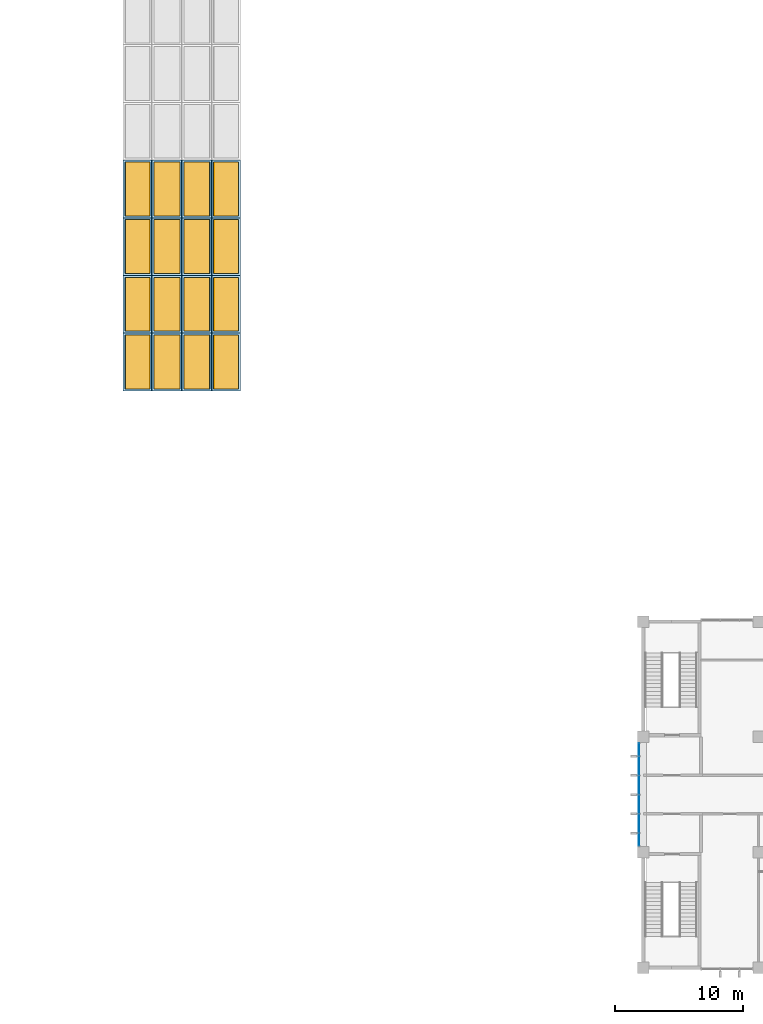
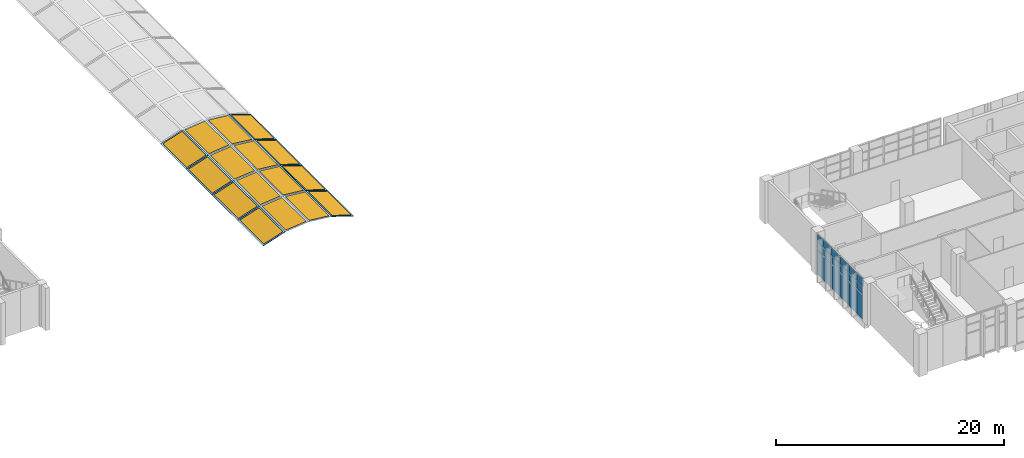
# One storey, part 19 of 45: 18 plates, 16 slabs, 16 windows, 16 openings, 1 element without a shape of its own.
"""IFC4 building model written with IfcOpenShell, lengths in metres."""

import ifcopenshell
import ifcopenshell.guid

model = None  # the IFC model being written
_history = None  # IfcOwnerHistory: only IFC2X3 demands one
_inside = {}  # id of a spatial element -> (the spatial element, [elements in it])
_under = {}  # id of a project, library or spatial element -> (it, [spatial elements below it])
_declared = {}  # id of a project -> (the project, [libraries it declares])
_typed = {}  # id of a type object -> (the type object, [elements of that type])
_made_of = {}  # id of a material, layer set ... -> (it, [elements and type objects made of it])


def new_model(schema):
    """Start an empty IFC model of exactly this schema.

    Asked for "IFC4X3", IfcOpenShell would pick the latest addendum, in which some entities
    have other attributes; the version numbers below select the first issue.
    IFC2X3 requires an IfcOwnerHistory on every rooted entity: one is made here for all.
    """
    global model, _history
    if schema == "IFC4X3":
        model = ifcopenshell.file(schema_version=(4, 3, 0, 0))
    else:
        model = ifcopenshell.file(schema=schema)
    _inside.clear()
    _under.clear()
    _declared.clear()
    _typed.clear()
    _made_of.clear()
    _history = None
    if model.schema == "IFC2X3":
        org = make("IfcOrganization", Name="unknown")
        user = make(
            "IfcPersonAndOrganization",
            ThePerson=make("IfcPerson", FamilyName="unknown"),
            TheOrganization=org,
        )
        app = make(
            "IfcApplication",
            ApplicationDeveloper=org,
            Version="unknown",
            ApplicationFullName="unknown",
            ApplicationIdentifier="unknown",
        )
        _history = make(
            "IfcOwnerHistory",
            OwningUser=user,
            OwningApplication=app,
            ChangeAction="ADDED",
            CreationDate=0,
        )
    return model


def make(cls, **values):
    """One entity of the class cls with the attributes given. An attribute that is None is left unset."""
    return model.create_entity(
        cls, **{name: value for name, value in values.items() if value is not None}
    )


def rooted(cls, **values):
    """An entity with a GlobalId (a new one), such as an element, a storey or a relation."""
    return make(cls, GlobalId=ifcopenshell.guid.new(), OwnerHistory=_history, **values)


def si_unit(unit_type, name, prefix=None):
    """IfcSIUnit, for example si_unit("LENGTHUNIT", "METRE", prefix="MILLI")."""
    return make("IfcSIUnit", UnitType=unit_type, Prefix=prefix, Name=name)


def assignment(units):
    """IfcUnitAssignment: the units of a project."""
    return None if units is None else make("IfcUnitAssignment", Units=units)


def point(xyz):
    """IfcCartesianPoint."""
    return None if xyz is None else make("IfcCartesianPoint", Coordinates=xyz)


def direction(xyz):
    """IfcDirection."""
    return None if xyz is None else make("IfcDirection", DirectionRatios=xyz)


def frame(location, z_axis=None, x_axis=None):
    """IfcAxis2Placement3D, a coordinate frame: its origin and axes. An axis left out is left unset."""
    return make(
        "IfcAxis2Placement3D",
        Location=point(location),
        Axis=direction(z_axis),
        RefDirection=direction(x_axis),
    )


def frame_2d(location, x_axis=None):
    """IfcAxis2Placement2D, a coordinate frame in the plane: its origin and x axis."""
    return make(
        "IfcAxis2Placement2D", Location=point(location), RefDirection=direction(x_axis)
    )


def origin():
    """The frame at (0, 0, 0) with its axes left unset."""
    return frame((0.0, 0.0, 0.0))


def origin_2d():
    """The frame at (0, 0) in the plane with its x axis left unset."""
    return frame_2d((0.0, 0.0))


def place(relative_to, where):
    """IfcLocalPlacement: puts the frame where relative to a parent placement (None: the world)."""
    return make(
        "IfcLocalPlacement", PlacementRelTo=relative_to, RelativePlacement=where
    )


def context(
    kind, dimensions, precision=None, world=None, true_north=None, identifier=None
):
    """IfcGeometricRepresentationContext, for example the 3D "Model" context."""
    return make(
        "IfcGeometricRepresentationContext",
        ContextIdentifier=identifier,
        ContextType=kind,
        CoordinateSpaceDimension=dimensions,
        Precision=precision,
        WorldCoordinateSystem=world,
        TrueNorth=true_north,
    )


def subcontext(parent, identifier, kind, view, scale=None):
    """IfcGeometricRepresentationSubContext, for example "Body" below "Model"."""
    return make(
        "IfcGeometricRepresentationSubContext",
        ContextIdentifier=identifier,
        ContextType=kind,
        ParentContext=parent,
        TargetScale=scale,
        TargetView=view,
    )


def project(units=None, contexts=None):
    """IfcProject with its units and contexts."""
    return rooted(
        "IfcProject",
        Name="project",
        RepresentationContexts=contexts,
        UnitsInContext=assignment(units),
    )


def spatial(cls, under=None, at=None, **own):
    """A site, building, storey or space (cls), placed at a placement, below another one or the project."""
    s = rooted(cls, ObjectPlacement=at, **own)
    if under is not None:
        _under.setdefault(under.id(), (under, []))[1].append(s)
    return s


def polyline(points):
    """IfcPolyline through the points."""
    return make("IfcPolyline", Points=[point(p) for p in points])


def profile(cls, at=None, kind="AREA", **sizes):
    """A parametric profile (cls). Its sizes go by their IFC names, for example OverallWidth=200.0."""
    return make(cls, ProfileType=kind, Position=at, **sizes)


def rectangle(**sizes):
    """IfcRectangleProfileDef."""
    return profile("IfcRectangleProfileDef", **sizes)


def outline(outer, holes=None, kind="AREA"):
    """IfcArbitraryClosedProfileDef: a profile drawn as a closed curve; with holes, ...WithVoids."""
    if holes is None:
        return make("IfcArbitraryClosedProfileDef", ProfileType=kind, OuterCurve=outer)
    return make(
        "IfcArbitraryProfileDefWithVoids",
        ProfileType=kind,
        OuterCurve=outer,
        InnerCurves=holes,
    )


def extrude(swept, where, along, depth):
    """IfcExtrudedAreaSolid: the profile swept, set in the frame where, extruded along a direction by depth."""
    return make(
        "IfcExtrudedAreaSolid",
        SweptArea=swept,
        Position=where,
        ExtrudedDirection=direction(along),
        Depth=depth,
    )


def shape(context_of_items, identifier, shape_type, items):
    """IfcShapeRepresentation: the items that make up one representation, for example the "Body"."""
    return make(
        "IfcShapeRepresentation",
        ContextOfItems=context_of_items,
        RepresentationIdentifier=identifier,
        RepresentationType=shape_type,
        Items=items,
    )


def material(Name=None, Category=None):
    """IfcMaterial."""
    return make("IfcMaterial", Name=Name, Category=Category)


def layer(
    of_material, thickness, ventilated=None, Name=None, Category=None, Priority=None
):
    """IfcMaterialLayer: one layer of a wall or slab, of a material (None: an air gap)."""
    return make(
        "IfcMaterialLayer",
        Material=of_material,
        LayerThickness=thickness,
        IsVentilated=ventilated,
        Name=Name,
        Category=Category,
        Priority=Priority,
    )


def layer_set(layers, Name=None):
    """IfcMaterialLayerSet."""
    return make("IfcMaterialLayerSet", MaterialLayers=layers, LayerSetName=Name)


def made_of(thing, what):
    """Note that an element or type object is made of a material, layer set ...; save() writes the relation."""
    if what is not None:
        _made_of.setdefault(what.id(), (what, []))[1].append(thing)
    return thing


def type_object(cls, material=None, **own):
    """A type object (cls), such as IfcWallType, which elements share."""
    return made_of(rooted(cls, **own), material)


def element(
    cls,
    number,
    at=None,
    inside=None,
    cuts=None,
    type_object=None,
    material=None,
    context=None,
    identifier="Body",
    shape_type=None,
    held_by="IfcProductDefinitionShape",
    body=None,
    shapes=None,
    **own,
):
    """One element of the class cls, such as IfcWall. Its Tag is "e" and its number.

    at: its placement. inside: the storey or other place that contains it. cuts: it is an
    opening in that element (IfcRelVoidsElement). A single representation is given by context,
    identifier, shape_type and body (its items); several are given by shapes. held_by: the class
    of the entity that holds the representations. save() writes the other relations.
    """
    e = rooted(cls, Tag="e%d" % number, ObjectPlacement=at, **own)
    if body is not None:
        shapes = [shape(context, identifier, shape_type, body)]
    if shapes is not None:
        e.Representation = make(held_by, Representations=shapes)
    if inside is not None:
        _inside.setdefault(inside.id(), (inside, []))[1].append(e)
    if cuts is not None:
        rooted(
            "IfcRelVoidsElement", RelatingBuildingElement=cuts, RelatedOpeningElement=e
        )
    if type_object is not None:
        _typed.setdefault(type_object.id(), (type_object, []))[1].append(e)
    return made_of(e, material)


def fill(opening, filler):
    """IfcRelFillsElement: the door or window that sits in an opening."""
    return rooted(
        "IfcRelFillsElement",
        RelatingOpeningElement=opening,
        RelatedBuildingElement=filler,
    )


def aggregate(whole, parts):
    """IfcRelAggregates: a whole, such as a stair, and the parts it consists of."""
    return rooted("IfcRelAggregates", RelatingObject=whole, RelatedObjects=parts)


def save(model, path):
    """Write the relations noted so far, then the file.

    IfcRelAggregates (storeys below a building ...), IfcRelContainedInSpatialStructure (elements
    in a storey), IfcRelDefinesByType, IfcRelAssociatesMaterial and IfcRelDeclares: one each for
    every whole, place, type object, material and project.
    """
    for whole, parts in _under.values():
        aggregate(whole, parts)
    for where, things in _inside.values():
        rooted(
            "IfcRelContainedInSpatialStructure",
            RelatedElements=things,
            RelatingStructure=where,
        )
    for kind, things in _typed.values():
        rooted("IfcRelDefinesByType", RelatedObjects=things, RelatingType=kind)
    for what, things in _made_of.values():
        rooted("IfcRelAssociatesMaterial", RelatedObjects=things, RelatingMaterial=what)
    for by, libraries in _declared.values():
        rooted("IfcRelDeclares", RelatingContext=by, RelatedDefinitions=libraries)
    model.write(path)


model = new_model("IFC4")

# Units and contexts
model_context = context("Model", 3, precision=1e-05, world=origin(), true_north=direction((0.0, 1.0)))
body_context = subcontext(model_context, "Body", "Model", "MODEL_VIEW")
ifc_project = project(units=[si_unit("LENGTHUNIT", "METRE"), si_unit("AREAUNIT", "SQUARE_METRE"), si_unit("VOLUMEUNIT", "CUBIC_METRE"), si_unit("PLANEANGLEUNIT", "RADIAN"), si_unit("MASSUNIT", "GRAM", prefix="KILO")], contexts=[model_context])

# Site, building, storey
site_placement = place(None, origin())
site = spatial("IfcSite", under=ifc_project, at=site_placement, CompositionType="ELEMENT")
building_placement = place(site_placement, origin())
building = spatial("IfcBuilding", under=site, at=building_placement, Name="Guidao Yard Department Store", CompositionType="ELEMENT")
storey_placement = place(building_placement, frame((0.0, 0.0, 19.5)))
storey = spatial("IfcBuildingStorey", under=building, at=storey_placement, Name="L04", CompositionType="ELEMENT", Elevation=19.5)

# Slab, opening, window
ifc_material_1 = material(Name="Aluminium 6063-T5", Category="aluminium")
ifc_layer_1 = layer(ifc_material_1, 0.06005859375)
ifc_layer_set_1 = layer_set([ifc_layer_1], Name="Smoke vent frame SV2 aluminium")
slab_type = type_object("IfcSlabType", Name="Smoke vent frame SV2 aluminium", PredefinedType="ROOF", material=ifc_layer_set_1)
slab_1_placement = place(storey_placement, frame((85.43310546875, 45.0, 0.541748046875), z_axis=(-0.314942635396, 0.0, 0.949110708195), x_axis=(0.949110708195, 0.0, 0.314942635396)))
slab_1 = element("IfcSlab", 1, at=slab_1_placement, inside=storey, type_object=slab_type, Name="Smoke vent frame C01-04A", PredefinedType="ROOF", context=body_context, shape_type="SweptSolid", body=[
    extrude(outline(polyline([(0.0, 0.0), (2.337200180755829, 0.0), (2.337200180755829, 4.5), (0.0, 4.5), (0.0, 0.0)])), origin(), (0.0, 0.0, -1.0), 0.06005859375),
])
opening_1_placement = place(slab_1_placement, frame((1.168701171875, 2.25, 0.0)))
opening_1 = element("IfcOpeningElement", 2, at=opening_1_placement, cuts=slab_1, Name="Opening SW-C01-04A", PredefinedType="OPENING", context=body_context, shape_type="SweptSolid", body=[
    extrude(rectangle(XDim=2.037353515625, YDim=4.199951171875, at=origin_2d()), frame((0.0, 0.0, 0.010009765625)), (0.0, 0.0, -1.0), 0.080078125),
])
ifc_material_2 = material(Name="Laminated glass in Aluminium 6063-T5 frame", Category="aluminium")
window_type = type_object("IfcWindowType", Name="Smoke vent SV2 operable skylight", PartitioningType="SINGLE_PANEL", PredefinedType="SKYLIGHT", material=ifc_material_2)
window_1_placement = place(opening_1_placement, frame((0.0, 0.0, -0.050048828125)))
window_1 = element("IfcWindow", 3, at=window_1_placement, inside=storey, type_object=window_type, Name="Smoke vent C01-04A", OverallHeight=4.199951171875, OverallWidth=2.037353515625, PartitioningType="SINGLE_PANEL", PredefinedType="SKYLIGHT", context=body_context, shape_type="SweptSolid", body=[
    extrude(rectangle(XDim=2.037353515625, YDim=4.199951171875, at=origin_2d()), origin(), (0.0, 0.0, 1.0), 0.050048828125),
])
fill(opening_1, window_1)

slab_2_placement = place(storey_placement, frame((85.43310546875, 49.5, 0.541748046875), z_axis=(-0.314942635396, 0.0, 0.949110708195), x_axis=(0.949110708195, 0.0, 0.314942635396)))
slab_2 = element("IfcSlab", 4, at=slab_2_placement, inside=storey, type_object=slab_type, Name="Smoke vent frame C01-04B", PredefinedType="ROOF", context=body_context, shape_type="SweptSolid", body=[
    extrude(outline(polyline([(0.0, 0.0), (2.337200180755829, 0.0), (2.337200180755829, 4.5), (0.0, 4.5), (0.0, 0.0)])), origin(), (0.0, 0.0, -1.0), 0.06005859375),
])
opening_2_placement = place(slab_2_placement, frame((1.168701171875, 2.25, 0.0)))
opening_2 = element("IfcOpeningElement", 5, at=opening_2_placement, cuts=slab_2, Name="Opening SW-C01-04B", PredefinedType="OPENING", context=body_context, shape_type="SweptSolid", body=[
    extrude(rectangle(XDim=2.037353515625, YDim=4.199951171875, at=origin_2d()), frame((0.0, 0.0, 0.010009765625)), (0.0, 0.0, -1.0), 0.080078125),
])
window_2_placement = place(opening_2_placement, frame((0.0, 0.0, -0.050048828125)))
window_2 = element("IfcWindow", 6, at=window_2_placement, inside=storey, type_object=window_type, Name="Smoke vent C01-04B", OverallHeight=4.199951171875, OverallWidth=2.037353515625, PartitioningType="SINGLE_PANEL", PredefinedType="SKYLIGHT", context=body_context, shape_type="SweptSolid", body=[
    extrude(rectangle(XDim=2.037353515625, YDim=4.199951171875, at=origin_2d()), origin(), (0.0, 0.0, 1.0), 0.050048828125),
])
fill(opening_2, window_2)

slab_3_placement = place(storey_placement, frame((87.6640625, 45.0, 1.280517578125), z_axis=(-0.106496330274, 0.0, 0.994313095377), x_axis=(0.994313095377, 0.0, 0.106496330274)))
slab_3 = element("IfcSlab", 7, at=slab_3_placement, inside=storey, type_object=slab_type, Name="Smoke vent frame C01-05A", PredefinedType="ROOF", context=body_context, shape_type="SweptSolid", body=[
    extrude(outline(polyline([(0.0, 0.0), (2.3429137709050942, 0.0), (2.3429137709050942, 4.5), (0.0, 4.5), (0.0, 0.0)])), origin(), (0.0, 0.0, -1.0), 0.06005859375),
])
opening_3_placement = place(slab_3_placement, frame((1.17138671875, 2.25, 0.0)))
opening_3 = element("IfcOpeningElement", 8, at=opening_3_placement, cuts=slab_3, Name="Opening SW-C01-05A", PredefinedType="OPENING", context=body_context, shape_type="SweptSolid", body=[
    extrude(rectangle(XDim=2.04296875, YDim=4.199951171875, at=origin_2d()), frame((0.0, 0.0, 0.010009765625)), (0.0, 0.0, -1.0), 0.080078125),
])
window_3_placement = place(opening_3_placement, frame((0.0, 0.0, -0.050048828125)))
window_3 = element("IfcWindow", 9, at=window_3_placement, inside=storey, type_object=window_type, Name="Smoke vent C01-05A", OverallHeight=4.199951171875, OverallWidth=2.04296875, PartitioningType="SINGLE_PANEL", PredefinedType="SKYLIGHT", context=body_context, shape_type="SweptSolid", body=[
    extrude(rectangle(XDim=2.04296875, YDim=4.199951171875, at=origin_2d()), origin(), (0.0, 0.0, 1.0), 0.050048828125),
])
fill(opening_3, window_3)

slab_4_placement = place(storey_placement, frame((87.6640625, 49.5, 1.280517578125), z_axis=(-0.106496330274, 0.0, 0.994313095377), x_axis=(0.994313095377, 0.0, 0.106496330274)))
slab_4 = element("IfcSlab", 10, at=slab_4_placement, inside=storey, type_object=slab_type, Name="Smoke vent frame C01-05B", PredefinedType="ROOF", context=body_context, shape_type="SweptSolid", body=[
    extrude(outline(polyline([(0.0, 0.0), (2.3429137709050942, 0.0), (2.3429137709050942, 4.5), (0.0, 4.5), (0.0, 0.0)])), origin(), (0.0, 0.0, -1.0), 0.06005859375),
])
opening_4_placement = place(slab_4_placement, frame((1.17138671875, 2.25, 0.0)))
opening_4 = element("IfcOpeningElement", 11, at=opening_4_placement, cuts=slab_4, Name="Opening SW-C01-05B", PredefinedType="OPENING", context=body_context, shape_type="SweptSolid", body=[
    extrude(rectangle(XDim=2.04296875, YDim=4.199951171875, at=origin_2d()), frame((0.0, 0.0, 0.010009765625)), (0.0, 0.0, -1.0), 0.080078125),
])
window_4_placement = place(opening_4_placement, frame((0.0, 0.0, -0.050048828125)))
window_4 = element("IfcWindow", 12, at=window_4_placement, inside=storey, type_object=window_type, Name="Smoke vent C01-05B", OverallHeight=4.199951171875, OverallWidth=2.04296875, PartitioningType="SINGLE_PANEL", PredefinedType="SKYLIGHT", context=body_context, shape_type="SweptSolid", body=[
    extrude(rectangle(XDim=2.04296875, YDim=4.199951171875, at=origin_2d()), origin(), (0.0, 0.0, 1.0), 0.050048828125),
])
fill(opening_4, window_4)

slab_5_placement = place(storey_placement, frame((90.00634765625, 45.0, 1.530029296875), z_axis=(0.106496330274, 0.0, 0.994313095377), x_axis=(0.994313095377, 0.0, -0.106496330274)))
slab_5 = element("IfcSlab", 13, at=slab_5_placement, inside=storey, type_object=slab_type, Name="Smoke vent frame C01-06A", PredefinedType="ROOF", context=body_context, shape_type="SweptSolid", body=[
    extrude(outline(polyline([(0.0, 0.0), (2.3429137709050942, 0.0), (2.3429137709050942, 4.5), (0.0, 4.5), (0.0, 0.0)])), origin(), (0.0, 0.0, -1.0), 0.06005859375),
])
opening_5_placement = place(slab_5_placement, frame((1.17138671875, 2.25, 0.0)))
opening_5 = element("IfcOpeningElement", 14, at=opening_5_placement, cuts=slab_5, Name="Opening SW-C01-06A", PredefinedType="OPENING", context=body_context, shape_type="SweptSolid", body=[
    extrude(rectangle(XDim=2.04296875, YDim=4.199951171875, at=origin_2d()), frame((0.0, 0.0, 0.010009765625)), (0.0, 0.0, -1.0), 0.080078125),
])
window_5_placement = place(opening_5_placement, frame((0.0, 0.0, -0.050048828125)))
window_5 = element("IfcWindow", 15, at=window_5_placement, inside=storey, type_object=window_type, Name="Smoke vent C01-06A", OverallHeight=4.199951171875, OverallWidth=2.04296875, PartitioningType="SINGLE_PANEL", PredefinedType="SKYLIGHT", context=body_context, shape_type="SweptSolid", body=[
    extrude(rectangle(XDim=2.04296875, YDim=4.199951171875, at=origin_2d()), origin(), (0.0, 0.0, 1.0), 0.050048828125),
])
fill(opening_5, window_5)

slab_6_placement = place(storey_placement, frame((90.00634765625, 49.5, 1.530029296875), z_axis=(0.106496330274, 0.0, 0.994313095377), x_axis=(0.994313095377, 0.0, -0.106496330274)))
slab_6 = element("IfcSlab", 16, at=slab_6_placement, inside=storey, type_object=slab_type, Name="Smoke vent frame C01-06B", PredefinedType="ROOF", context=body_context, shape_type="SweptSolid", body=[
    extrude(outline(polyline([(0.0, 0.0), (2.3429137709050942, 0.0), (2.3429137709050942, 4.5), (0.0, 4.5), (0.0, 0.0)])), origin(), (0.0, 0.0, -1.0), 0.06005859375),
])
opening_6_placement = place(slab_6_placement, frame((1.17138671875, 2.25, 0.0)))
opening_6 = element("IfcOpeningElement", 17, at=opening_6_placement, cuts=slab_6, Name="Opening SW-C01-06B", PredefinedType="OPENING", context=body_context, shape_type="SweptSolid", body=[
    extrude(rectangle(XDim=2.04296875, YDim=4.199951171875, at=origin_2d()), frame((0.0, 0.0, 0.010009765625)), (0.0, 0.0, -1.0), 0.080078125),
])
window_6_placement = place(opening_6_placement, frame((0.0, 0.0, -0.050048828125)))
window_6 = element("IfcWindow", 18, at=window_6_placement, inside=storey, type_object=window_type, Name="Smoke vent C01-06B", OverallHeight=4.199951171875, OverallWidth=2.04296875, PartitioningType="SINGLE_PANEL", PredefinedType="SKYLIGHT", context=body_context, shape_type="SweptSolid", body=[
    extrude(rectangle(XDim=2.04296875, YDim=4.199951171875, at=origin_2d()), origin(), (0.0, 0.0, 1.0), 0.050048828125),
])
fill(opening_6, window_6)

slab_7_placement = place(storey_placement, frame((92.3486328125, 45.0, 1.27783203125), z_axis=(0.314942635396, 0.0, 0.949110708195), x_axis=(0.949110708195, 0.0, -0.314942635396)))
slab_7 = element("IfcSlab", 19, at=slab_7_placement, inside=storey, type_object=slab_type, Name="Smoke vent frame C01-07A", PredefinedType="ROOF", context=body_context, shape_type="SweptSolid", body=[
    extrude(outline(polyline([(0.0, 0.0), (2.337200180755829, 0.0), (2.337200180755829, 4.5), (0.0, 4.5), (0.0, 0.0)])), origin(), (0.0, 0.0, -1.0), 0.06005859375),
])
opening_7_placement = place(slab_7_placement, frame((1.168701171875, 2.25, 0.0)))
opening_7 = element("IfcOpeningElement", 20, at=opening_7_placement, cuts=slab_7, Name="Opening SW-C01-07A", PredefinedType="OPENING", context=body_context, shape_type="SweptSolid", body=[
    extrude(rectangle(XDim=2.037353515625, YDim=4.199951171875, at=origin_2d()), frame((0.0, 0.0, 0.010009765625)), (0.0, 0.0, -1.0), 0.080078125),
])
window_7_placement = place(opening_7_placement, frame((0.0, 0.0, -0.050048828125)))
window_7 = element("IfcWindow", 21, at=window_7_placement, inside=storey, type_object=window_type, Name="Smoke vent C01-07A", OverallHeight=4.199951171875, OverallWidth=2.037353515625, PartitioningType="SINGLE_PANEL", PredefinedType="SKYLIGHT", context=body_context, shape_type="SweptSolid", body=[
    extrude(rectangle(XDim=2.037353515625, YDim=4.199951171875, at=origin_2d()), origin(), (0.0, 0.0, 1.0), 0.050048828125),
])
fill(opening_7, window_7)

slab_8_placement = place(storey_placement, frame((92.3486328125, 49.5, 1.27783203125), z_axis=(0.314942635396, 0.0, 0.949110708195), x_axis=(0.949110708195, 0.0, -0.314942635396)))
slab_8 = element("IfcSlab", 22, at=slab_8_placement, inside=storey, type_object=slab_type, Name="Smoke vent frame C01-07B", PredefinedType="ROOF", context=body_context, shape_type="SweptSolid", body=[
    extrude(outline(polyline([(0.0, 0.0), (2.337200180755829, 0.0), (2.337200180755829, 4.5), (0.0, 4.5), (0.0, 0.0)])), origin(), (0.0, 0.0, -1.0), 0.06005859375),
])
opening_8_placement = place(slab_8_placement, frame((1.168701171875, 2.25, 0.0)))
opening_8 = element("IfcOpeningElement", 23, at=opening_8_placement, cuts=slab_8, Name="Opening SW-C01-07B", PredefinedType="OPENING", context=body_context, shape_type="SweptSolid", body=[
    extrude(rectangle(XDim=2.037353515625, YDim=4.199951171875, at=origin_2d()), frame((0.0, 0.0, 0.010009765625)), (0.0, 0.0, -1.0), 0.080078125),
])
window_8_placement = place(opening_8_placement, frame((0.0, 0.0, -0.050048828125)))
window_8 = element("IfcWindow", 24, at=window_8_placement, inside=storey, type_object=window_type, Name="Smoke vent C01-07B", OverallHeight=4.199951171875, OverallWidth=2.037353515625, PartitioningType="SINGLE_PANEL", PredefinedType="SKYLIGHT", context=body_context, shape_type="SweptSolid", body=[
    extrude(rectangle(XDim=2.037353515625, YDim=4.199951171875, at=origin_2d()), origin(), (0.0, 0.0, 1.0), 0.050048828125),
])
fill(opening_8, window_8)

slab_9_placement = place(storey_placement, frame((85.43310546875, 54.0, 0.541748046875), z_axis=(-0.314942635396, 0.0, 0.949110708195), x_axis=(0.949110708195, 0.0, 0.314942635396)))
slab_9 = element("IfcSlab", 25, at=slab_9_placement, inside=storey, type_object=slab_type, Name="Smoke vent frame C02-04A", PredefinedType="ROOF", context=body_context, shape_type="SweptSolid", body=[
    extrude(outline(polyline([(0.0, 0.0), (2.337200180755829, 0.0), (2.337200180755829, 4.5), (0.0, 4.5), (0.0, 0.0)])), origin(), (0.0, 0.0, -1.0), 0.06005859375),
])
opening_9_placement = place(slab_9_placement, frame((1.168701171875, 2.25, 0.0)))
opening_9 = element("IfcOpeningElement", 26, at=opening_9_placement, cuts=slab_9, Name="Opening SW-C02-04A", PredefinedType="OPENING", context=body_context, shape_type="SweptSolid", body=[
    extrude(rectangle(XDim=2.037353515625, YDim=4.199951171875, at=origin_2d()), frame((0.0, 0.0, 0.010009765625)), (0.0, 0.0, -1.0), 0.080078125),
])
window_9_placement = place(opening_9_placement, frame((0.0, 0.0, -0.050048828125)))
window_9 = element("IfcWindow", 27, at=window_9_placement, inside=storey, type_object=window_type, Name="Smoke vent C02-04A", OverallHeight=4.199951171875, OverallWidth=2.037353515625, PartitioningType="SINGLE_PANEL", PredefinedType="SKYLIGHT", context=body_context, shape_type="SweptSolid", body=[
    extrude(rectangle(XDim=2.037353515625, YDim=4.199951171875, at=origin_2d()), origin(), (0.0, 0.0, 1.0), 0.050048828125),
])
fill(opening_9, window_9)

slab_10_placement = place(storey_placement, frame((85.43310546875, 58.5, 0.541748046875), z_axis=(-0.314942635396, 0.0, 0.949110708195), x_axis=(0.949110708195, 0.0, 0.314942635396)))
slab_10 = element("IfcSlab", 28, at=slab_10_placement, inside=storey, type_object=slab_type, Name="Smoke vent frame C02-04B", PredefinedType="ROOF", context=body_context, shape_type="SweptSolid", body=[
    extrude(outline(polyline([(0.0, 0.0), (2.337200180755829, 0.0), (2.337200180755829, 4.5), (0.0, 4.5), (0.0, 0.0)])), origin(), (0.0, 0.0, -1.0), 0.06005859375),
])
opening_10_placement = place(slab_10_placement, frame((1.168701171875, 2.25, 0.0)))
opening_10 = element("IfcOpeningElement", 29, at=opening_10_placement, cuts=slab_10, Name="Opening SW-C02-04B", PredefinedType="OPENING", context=body_context, shape_type="SweptSolid", body=[
    extrude(rectangle(XDim=2.037353515625, YDim=4.199951171875, at=origin_2d()), frame((0.0, 0.0, 0.010009765625)), (0.0, 0.0, -1.0), 0.080078125),
])
window_10_placement = place(opening_10_placement, frame((0.0, 0.0, -0.050048828125)))
window_10 = element("IfcWindow", 30, at=window_10_placement, inside=storey, type_object=window_type, Name="Smoke vent C02-04B", OverallHeight=4.199951171875, OverallWidth=2.037353515625, PartitioningType="SINGLE_PANEL", PredefinedType="SKYLIGHT", context=body_context, shape_type="SweptSolid", body=[
    extrude(rectangle(XDim=2.037353515625, YDim=4.199951171875, at=origin_2d()), origin(), (0.0, 0.0, 1.0), 0.050048828125),
])
fill(opening_10, window_10)

slab_11_placement = place(storey_placement, frame((87.6640625, 54.0, 1.280517578125), z_axis=(-0.106496330274, 0.0, 0.994313095377), x_axis=(0.994313095377, 0.0, 0.106496330274)))
slab_11 = element("IfcSlab", 31, at=slab_11_placement, inside=storey, type_object=slab_type, Name="Smoke vent frame C02-05A", PredefinedType="ROOF", context=body_context, shape_type="SweptSolid", body=[
    extrude(outline(polyline([(0.0, 0.0), (2.3429137709050942, 0.0), (2.3429137709050942, 4.5), (0.0, 4.5), (0.0, 0.0)])), origin(), (0.0, 0.0, -1.0), 0.06005859375),
])
opening_11_placement = place(slab_11_placement, frame((1.17138671875, 2.25, 0.0)))
opening_11 = element("IfcOpeningElement", 32, at=opening_11_placement, cuts=slab_11, Name="Opening SW-C02-05A", PredefinedType="OPENING", context=body_context, shape_type="SweptSolid", body=[
    extrude(rectangle(XDim=2.04296875, YDim=4.199951171875, at=origin_2d()), frame((0.0, 0.0, 0.010009765625)), (0.0, 0.0, -1.0), 0.080078125),
])
window_11_placement = place(opening_11_placement, frame((0.0, 0.0, -0.050048828125)))
window_11 = element("IfcWindow", 33, at=window_11_placement, inside=storey, type_object=window_type, Name="Smoke vent C02-05A", OverallHeight=4.199951171875, OverallWidth=2.04296875, PartitioningType="SINGLE_PANEL", PredefinedType="SKYLIGHT", context=body_context, shape_type="SweptSolid", body=[
    extrude(rectangle(XDim=2.04296875, YDim=4.199951171875, at=origin_2d()), origin(), (0.0, 0.0, 1.0), 0.050048828125),
])
fill(opening_11, window_11)

slab_12_placement = place(storey_placement, frame((87.6640625, 58.5, 1.280517578125), z_axis=(-0.106496330274, 0.0, 0.994313095377), x_axis=(0.994313095377, 0.0, 0.106496330274)))
slab_12 = element("IfcSlab", 34, at=slab_12_placement, inside=storey, type_object=slab_type, Name="Smoke vent frame C02-05B", PredefinedType="ROOF", context=body_context, shape_type="SweptSolid", body=[
    extrude(outline(polyline([(0.0, 0.0), (2.3429137709050942, 0.0), (2.3429137709050942, 4.5), (0.0, 4.5), (0.0, 0.0)])), origin(), (0.0, 0.0, -1.0), 0.06005859375),
])
opening_12_placement = place(slab_12_placement, frame((1.17138671875, 2.25, 0.0)))
opening_12 = element("IfcOpeningElement", 35, at=opening_12_placement, cuts=slab_12, Name="Opening SW-C02-05B", PredefinedType="OPENING", context=body_context, shape_type="SweptSolid", body=[
    extrude(rectangle(XDim=2.04296875, YDim=4.199951171875, at=origin_2d()), frame((0.0, 0.0, 0.010009765625)), (0.0, 0.0, -1.0), 0.080078125),
])
window_12_placement = place(opening_12_placement, frame((0.0, 0.0, -0.050048828125)))
window_12 = element("IfcWindow", 36, at=window_12_placement, inside=storey, type_object=window_type, Name="Smoke vent C02-05B", OverallHeight=4.199951171875, OverallWidth=2.04296875, PartitioningType="SINGLE_PANEL", PredefinedType="SKYLIGHT", context=body_context, shape_type="SweptSolid", body=[
    extrude(rectangle(XDim=2.04296875, YDim=4.199951171875, at=origin_2d()), origin(), (0.0, 0.0, 1.0), 0.050048828125),
])
fill(opening_12, window_12)

slab_13_placement = place(storey_placement, frame((90.00634765625, 54.0, 1.530029296875), z_axis=(0.106496330274, 0.0, 0.994313095377), x_axis=(0.994313095377, 0.0, -0.106496330274)))
slab_13 = element("IfcSlab", 37, at=slab_13_placement, inside=storey, type_object=slab_type, Name="Smoke vent frame C02-06A", PredefinedType="ROOF", context=body_context, shape_type="SweptSolid", body=[
    extrude(outline(polyline([(0.0, 0.0), (2.3429137709050942, 0.0), (2.3429137709050942, 4.5), (0.0, 4.5), (0.0, 0.0)])), origin(), (0.0, 0.0, -1.0), 0.06005859375),
])
opening_13_placement = place(slab_13_placement, frame((1.17138671875, 2.25, 0.0)))
opening_13 = element("IfcOpeningElement", 38, at=opening_13_placement, cuts=slab_13, Name="Opening SW-C02-06A", PredefinedType="OPENING", context=body_context, shape_type="SweptSolid", body=[
    extrude(rectangle(XDim=2.04296875, YDim=4.199951171875, at=origin_2d()), frame((0.0, 0.0, 0.010009765625)), (0.0, 0.0, -1.0), 0.080078125),
])
window_13_placement = place(opening_13_placement, frame((0.0, 0.0, -0.050048828125)))
window_13 = element("IfcWindow", 39, at=window_13_placement, inside=storey, type_object=window_type, Name="Smoke vent C02-06A", OverallHeight=4.199951171875, OverallWidth=2.04296875, PartitioningType="SINGLE_PANEL", PredefinedType="SKYLIGHT", context=body_context, shape_type="SweptSolid", body=[
    extrude(rectangle(XDim=2.04296875, YDim=4.199951171875, at=origin_2d()), origin(), (0.0, 0.0, 1.0), 0.050048828125),
])
fill(opening_13, window_13)

slab_14_placement = place(storey_placement, frame((90.00634765625, 58.5, 1.530029296875), z_axis=(0.106496330274, 0.0, 0.994313095377), x_axis=(0.994313095377, 0.0, -0.106496330274)))
slab_14 = element("IfcSlab", 40, at=slab_14_placement, inside=storey, type_object=slab_type, Name="Smoke vent frame C02-06B", PredefinedType="ROOF", context=body_context, shape_type="SweptSolid", body=[
    extrude(outline(polyline([(0.0, 0.0), (2.3429137709050942, 0.0), (2.3429137709050942, 4.5), (0.0, 4.5), (0.0, 0.0)])), origin(), (0.0, 0.0, -1.0), 0.06005859375),
])
opening_14_placement = place(slab_14_placement, frame((1.17138671875, 2.25, 0.0)))
opening_14 = element("IfcOpeningElement", 41, at=opening_14_placement, cuts=slab_14, Name="Opening SW-C02-06B", PredefinedType="OPENING", context=body_context, shape_type="SweptSolid", body=[
    extrude(rectangle(XDim=2.04296875, YDim=4.199951171875, at=origin_2d()), frame((0.0, 0.0, 0.010009765625)), (0.0, 0.0, -1.0), 0.080078125),
])
window_14_placement = place(opening_14_placement, frame((0.0, 0.0, -0.050048828125)))
window_14 = element("IfcWindow", 42, at=window_14_placement, inside=storey, type_object=window_type, Name="Smoke vent C02-06B", OverallHeight=4.199951171875, OverallWidth=2.04296875, PartitioningType="SINGLE_PANEL", PredefinedType="SKYLIGHT", context=body_context, shape_type="SweptSolid", body=[
    extrude(rectangle(XDim=2.04296875, YDim=4.199951171875, at=origin_2d()), origin(), (0.0, 0.0, 1.0), 0.050048828125),
])
fill(opening_14, window_14)

slab_15_placement = place(storey_placement, frame((92.3486328125, 54.0, 1.27783203125), z_axis=(0.314942635396, 0.0, 0.949110708195), x_axis=(0.949110708195, 0.0, -0.314942635396)))
slab_15 = element("IfcSlab", 43, at=slab_15_placement, inside=storey, type_object=slab_type, Name="Smoke vent frame C02-07A", PredefinedType="ROOF", context=body_context, shape_type="SweptSolid", body=[
    extrude(outline(polyline([(0.0, 0.0), (2.337200180755829, 0.0), (2.337200180755829, 4.5), (0.0, 4.5), (0.0, 0.0)])), origin(), (0.0, 0.0, -1.0), 0.06005859375),
])
opening_15_placement = place(slab_15_placement, frame((1.168701171875, 2.25, 0.0)))
opening_15 = element("IfcOpeningElement", 44, at=opening_15_placement, cuts=slab_15, Name="Opening SW-C02-07A", PredefinedType="OPENING", context=body_context, shape_type="SweptSolid", body=[
    extrude(rectangle(XDim=2.037353515625, YDim=4.199951171875, at=origin_2d()), frame((0.0, 0.0, 0.010009765625)), (0.0, 0.0, -1.0), 0.080078125),
])
window_15_placement = place(opening_15_placement, frame((0.0, 0.0, -0.050048828125)))
window_15 = element("IfcWindow", 45, at=window_15_placement, inside=storey, type_object=window_type, Name="Smoke vent C02-07A", OverallHeight=4.199951171875, OverallWidth=2.037353515625, PartitioningType="SINGLE_PANEL", PredefinedType="SKYLIGHT", context=body_context, shape_type="SweptSolid", body=[
    extrude(rectangle(XDim=2.037353515625, YDim=4.199951171875, at=origin_2d()), origin(), (0.0, 0.0, 1.0), 0.050048828125),
])
fill(opening_15, window_15)

slab_16_placement = place(storey_placement, frame((92.3486328125, 58.5, 1.27783203125), z_axis=(0.314942635396, 0.0, 0.949110708195), x_axis=(0.949110708195, 0.0, -0.314942635396)))
slab_16 = element("IfcSlab", 46, at=slab_16_placement, inside=storey, type_object=slab_type, Name="Smoke vent frame C02-07B", PredefinedType="ROOF", context=body_context, shape_type="SweptSolid", body=[
    extrude(outline(polyline([(0.0, 0.0), (2.337200180755829, 0.0), (2.337200180755829, 4.5), (0.0, 4.5), (0.0, 0.0)])), origin(), (0.0, 0.0, -1.0), 0.06005859375),
])
opening_16_placement = place(slab_16_placement, frame((1.168701171875, 2.25, 0.0)))
opening_16 = element("IfcOpeningElement", 47, at=opening_16_placement, cuts=slab_16, Name="Opening SW-C02-07B", PredefinedType="OPENING", context=body_context, shape_type="SweptSolid", body=[
    extrude(rectangle(XDim=2.037353515625, YDim=4.199951171875, at=origin_2d()), frame((0.0, 0.0, 0.010009765625)), (0.0, 0.0, -1.0), 0.080078125),
])
window_16_placement = place(opening_16_placement, frame((0.0, 0.0, -0.050048828125)))
window_16 = element("IfcWindow", 48, at=window_16_placement, inside=storey, type_object=window_type, Name="Smoke vent C02-07B", OverallHeight=4.199951171875, OverallWidth=2.037353515625, PartitioningType="SINGLE_PANEL", PredefinedType="SKYLIGHT", context=body_context, shape_type="SweptSolid", body=[
    extrude(rectangle(XDim=2.037353515625, YDim=4.199951171875, at=origin_2d()), origin(), (0.0, 0.0, 1.0), 0.050048828125),
])
fill(opening_16, window_16)

# Curtain wall, plates
ifc_material_3 = material(Name="Aluminium and glass", Category="aluminium")
ifc_layer_2 = layer(ifc_material_3, 0.159912109375)
ifc_layer_set_2 = layer_set([ifc_layer_2], Name="Unitised curtain wall CW4 1500 module")
curtain_wall_type = type_object("IfcCurtainWallType", Name="Unitised curtain wall CW4 1500 module", PredefinedType="NOTDEFINED", material=ifc_layer_set_2)
curtain_wall_placement = place(storey_placement, origin())
curtain_wall = element("IfcCurtainWall", 49, at=curtain_wall_placement, inside=storey, type_object=curtain_wall_type, Name="Unitised curtain wall", PredefinedType="NOTDEFINED")
ifc_material_4 = material(Name="Aluminium 6063-T5 faced insulated spandrel", Category="aluminium")
ifc_layer_3 = layer(ifc_material_4, 0.06005859375)
ifc_layer_set_3 = layer_set([ifc_layer_3], Name="Spandrel panel SP1 insulated opaque")
plate_type_1 = type_object("IfcPlateType", Name="Spandrel panel SP1 insulated opaque", PredefinedType="CURTAIN_PANEL", material=ifc_layer_set_3)
plate_1_placement = place(storey_placement, frame((125.669921875, 9.989990234375, 3.6298828125), z_axis=(0.0, 0.0, 1.0), x_axis=(0.0, 1.0, 0.0)))
plate_1 = element("IfcPlate", 50, at=plate_1_placement, type_object=plate_type_1, Name="CW-OW-L04-05 panel 1.3", PredefinedType="CURTAIN_PANEL", context=body_context, shape_type="SweptSolid", body=[
    extrude(rectangle(XDim=0.9599609375, YDim=0.06005859375, at=origin_2d()), origin(), (0.0, 0.0, 1.0), 0.81005859375),
])
plate_2_placement = place(storey_placement, frame((125.669921875, 11.25, 3.6298828125), z_axis=(0.0, 0.0, 1.0), x_axis=(0.0, 1.0, 0.0)))
plate_2 = element("IfcPlate", 51, at=plate_2_placement, type_object=plate_type_1, Name="CW-OW-L04-05 panel 2.3", PredefinedType="CURTAIN_PANEL", context=body_context, shape_type="SweptSolid", body=[
    extrude(rectangle(XDim=1.43994140625, YDim=0.06005859375, at=origin_2d()), origin(), (0.0, 0.0, 1.0), 0.81005859375),
])
plate_3_placement = place(storey_placement, frame((125.669921875, 12.75, 3.6298828125), z_axis=(0.0, 0.0, 1.0), x_axis=(0.0, 1.0, 0.0)))
plate_3 = element("IfcPlate", 52, at=plate_3_placement, type_object=plate_type_1, Name="CW-OW-L04-05 panel 3.3", PredefinedType="CURTAIN_PANEL", context=body_context, shape_type="SweptSolid", body=[
    extrude(rectangle(XDim=1.43994140625, YDim=0.06005859375, at=origin_2d()), origin(), (0.0, 0.0, 1.0), 0.81005859375),
])
plate_4_placement = place(storey_placement, frame((125.669921875, 14.25, 3.6298828125), z_axis=(0.0, 0.0, 1.0), x_axis=(0.0, 1.0, 0.0)))
plate_4 = element("IfcPlate", 53, at=plate_4_placement, type_object=plate_type_1, Name="CW-OW-L04-05 panel 4.3", PredefinedType="CURTAIN_PANEL", context=body_context, shape_type="SweptSolid", body=[
    extrude(rectangle(XDim=1.43994140625, YDim=0.06005859375, at=origin_2d()), origin(), (0.0, 0.0, 1.0), 0.81005859375),
])
plate_5_placement = place(storey_placement, frame((125.669921875, 15.75, 3.6298828125), z_axis=(0.0, 0.0, 1.0), x_axis=(0.0, 1.0, 0.0)))
plate_5 = element("IfcPlate", 54, at=plate_5_placement, type_object=plate_type_1, Name="CW-OW-L04-05 panel 5.3", PredefinedType="CURTAIN_PANEL", context=body_context, shape_type="SweptSolid", body=[
    extrude(rectangle(XDim=1.43994140625, YDim=0.06005859375, at=origin_2d()), origin(), (0.0, 0.0, 1.0), 0.81005859375),
])
plate_6_placement = place(storey_placement, frame((125.669921875, 17.010009765625, 3.6298828125), z_axis=(0.0, 0.0, 1.0), x_axis=(0.0, 1.0, 0.0)))
plate_6 = element("IfcPlate", 55, at=plate_6_placement, type_object=plate_type_1, Name="CW-OW-L04-05 panel 6.3", PredefinedType="CURTAIN_PANEL", context=body_context, shape_type="SweptSolid", body=[
    extrude(rectangle(XDim=0.9599609375, YDim=0.06005859375, at=origin_2d()), origin(), (0.0, 0.0, 1.0), 0.81005859375),
])
ifc_material_5 = material(Name="Laminated heat-soaked tempered glass", Category="glass")
ifc_layer_4 = layer(ifc_material_5, 0.017578125)
ifc_layer_set_4 = layer_set([ifc_layer_4], Name="Vision glass VG1 laminated heat-soaked tempered 8+8")
plate_type_2 = type_object("IfcPlateType", Name="Vision glass VG1 laminated heat-soaked tempered 8+8", PredefinedType="CURTAIN_PANEL", material=ifc_layer_set_4)
plate_7_placement = place(storey_placement, frame((125.669921875, 9.989990234375, 0.06005859375), z_axis=(0.0, 0.0, 1.0), x_axis=(0.0, 1.0, 0.0)))
plate_7 = element("IfcPlate", 56, at=plate_7_placement, type_object=plate_type_2, Name="CW-OW-L04-05 panel 1.1", PredefinedType="CURTAIN_PANEL", context=body_context, shape_type="SweptSolid", body=[
    extrude(rectangle(XDim=0.9599609375, YDim=0.017578125, at=origin_2d()), origin(), (0.0, 0.0, 1.0), 2.610107421875),
])
plate_8_placement = place(storey_placement, frame((125.669921875, 9.989990234375, 2.72998046875), z_axis=(0.0, 0.0, 1.0), x_axis=(0.0, 1.0, 0.0)))
plate_8 = element("IfcPlate", 57, at=plate_8_placement, type_object=plate_type_2, Name="CW-OW-L04-05 panel 1.2", PredefinedType="CURTAIN_PANEL", context=body_context, shape_type="SweptSolid", body=[
    extrude(rectangle(XDim=0.9599609375, YDim=0.017578125, at=origin_2d()), origin(), (0.0, 0.0, 1.0), 0.840087890625),
])
plate_9_placement = place(storey_placement, frame((125.669921875, 11.25, 0.06005859375), z_axis=(0.0, 0.0, 1.0), x_axis=(0.0, 1.0, 0.0)))
plate_9 = element("IfcPlate", 58, at=plate_9_placement, type_object=plate_type_2, Name="CW-OW-L04-05 panel 2.1", PredefinedType="CURTAIN_PANEL", context=body_context, shape_type="SweptSolid", body=[
    extrude(rectangle(XDim=1.43994140625, YDim=0.017578125, at=origin_2d()), origin(), (0.0, 0.0, 1.0), 2.610107421875),
])
plate_10_placement = place(storey_placement, frame((125.669921875, 11.25, 2.72998046875), z_axis=(0.0, 0.0, 1.0), x_axis=(0.0, 1.0, 0.0)))
plate_10 = element("IfcPlate", 59, at=plate_10_placement, type_object=plate_type_2, Name="CW-OW-L04-05 panel 2.2", PredefinedType="CURTAIN_PANEL", context=body_context, shape_type="SweptSolid", body=[
    extrude(rectangle(XDim=1.43994140625, YDim=0.017578125, at=origin_2d()), origin(), (0.0, 0.0, 1.0), 0.840087890625),
])
plate_11_placement = place(storey_placement, frame((125.669921875, 12.75, 0.06005859375), z_axis=(0.0, 0.0, 1.0), x_axis=(0.0, 1.0, 0.0)))
plate_11 = element("IfcPlate", 60, at=plate_11_placement, type_object=plate_type_2, Name="CW-OW-L04-05 panel 3.1", PredefinedType="CURTAIN_PANEL", context=body_context, shape_type="SweptSolid", body=[
    extrude(rectangle(XDim=1.43994140625, YDim=0.017578125, at=origin_2d()), origin(), (0.0, 0.0, 1.0), 2.610107421875),
])
plate_12_placement = place(storey_placement, frame((125.669921875, 12.75, 2.72998046875), z_axis=(0.0, 0.0, 1.0), x_axis=(0.0, 1.0, 0.0)))
plate_12 = element("IfcPlate", 61, at=plate_12_placement, type_object=plate_type_2, Name="CW-OW-L04-05 panel 3.2", PredefinedType="CURTAIN_PANEL", context=body_context, shape_type="SweptSolid", body=[
    extrude(rectangle(XDim=1.43994140625, YDim=0.017578125, at=origin_2d()), origin(), (0.0, 0.0, 1.0), 0.840087890625),
])
plate_13_placement = place(storey_placement, frame((125.669921875, 14.25, 0.06005859375), z_axis=(0.0, 0.0, 1.0), x_axis=(0.0, 1.0, 0.0)))
plate_13 = element("IfcPlate", 62, at=plate_13_placement, type_object=plate_type_2, Name="CW-OW-L04-05 panel 4.1", PredefinedType="CURTAIN_PANEL", context=body_context, shape_type="SweptSolid", body=[
    extrude(rectangle(XDim=1.43994140625, YDim=0.017578125, at=origin_2d()), origin(), (0.0, 0.0, 1.0), 2.610107421875),
])
plate_14_placement = place(storey_placement, frame((125.669921875, 14.25, 2.72998046875), z_axis=(0.0, 0.0, 1.0), x_axis=(0.0, 1.0, 0.0)))
plate_14 = element("IfcPlate", 63, at=plate_14_placement, type_object=plate_type_2, Name="CW-OW-L04-05 panel 4.2", PredefinedType="CURTAIN_PANEL", context=body_context, shape_type="SweptSolid", body=[
    extrude(rectangle(XDim=1.43994140625, YDim=0.017578125, at=origin_2d()), origin(), (0.0, 0.0, 1.0), 0.840087890625),
])
plate_15_placement = place(storey_placement, frame((125.669921875, 15.75, 0.06005859375), z_axis=(0.0, 0.0, 1.0), x_axis=(0.0, 1.0, 0.0)))
plate_15 = element("IfcPlate", 64, at=plate_15_placement, type_object=plate_type_2, Name="CW-OW-L04-05 panel 5.1", PredefinedType="CURTAIN_PANEL", context=body_context, shape_type="SweptSolid", body=[
    extrude(rectangle(XDim=1.43994140625, YDim=0.017578125, at=origin_2d()), origin(), (0.0, 0.0, 1.0), 2.610107421875),
])
plate_16_placement = place(storey_placement, frame((125.669921875, 15.75, 2.72998046875), z_axis=(0.0, 0.0, 1.0), x_axis=(0.0, 1.0, 0.0)))
plate_16 = element("IfcPlate", 65, at=plate_16_placement, type_object=plate_type_2, Name="CW-OW-L04-05 panel 5.2", PredefinedType="CURTAIN_PANEL", context=body_context, shape_type="SweptSolid", body=[
    extrude(rectangle(XDim=1.43994140625, YDim=0.017578125, at=origin_2d()), origin(), (0.0, 0.0, 1.0), 0.840087890625),
])
plate_17_placement = place(storey_placement, frame((125.669921875, 17.010009765625, 0.06005859375), z_axis=(0.0, 0.0, 1.0), x_axis=(0.0, 1.0, 0.0)))
plate_17 = element("IfcPlate", 66, at=plate_17_placement, type_object=plate_type_2, Name="CW-OW-L04-05 panel 6.1", PredefinedType="CURTAIN_PANEL", context=body_context, shape_type="SweptSolid", body=[
    extrude(rectangle(XDim=0.9599609375, YDim=0.017578125, at=origin_2d()), origin(), (0.0, 0.0, 1.0), 2.610107421875),
])
plate_18_placement = place(storey_placement, frame((125.669921875, 17.010009765625, 2.72998046875), z_axis=(0.0, 0.0, 1.0), x_axis=(0.0, 1.0, 0.0)))
plate_18 = element("IfcPlate", 67, at=plate_18_placement, type_object=plate_type_2, Name="CW-OW-L04-05 panel 6.2", PredefinedType="CURTAIN_PANEL", context=body_context, shape_type="SweptSolid", body=[
    extrude(rectangle(XDim=0.9599609375, YDim=0.017578125, at=origin_2d()), origin(), (0.0, 0.0, 1.0), 0.840087890625),
])
aggregate(curtain_wall, [plate_7, plate_8, plate_1, plate_9, plate_10, plate_2, plate_11, plate_12, plate_3, plate_13, plate_14, plate_4, plate_15, plate_16, plate_5, plate_17, plate_18, plate_6])

save(model, "model.ifc")
